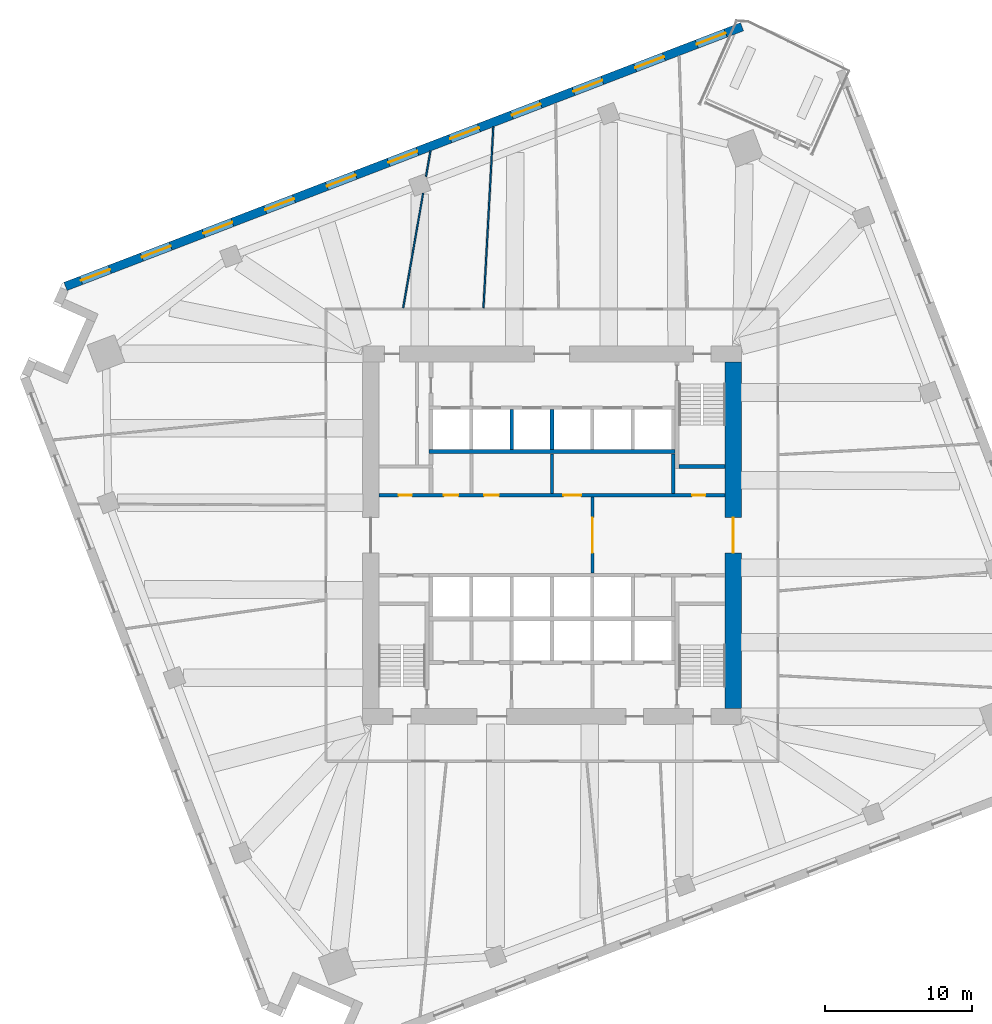
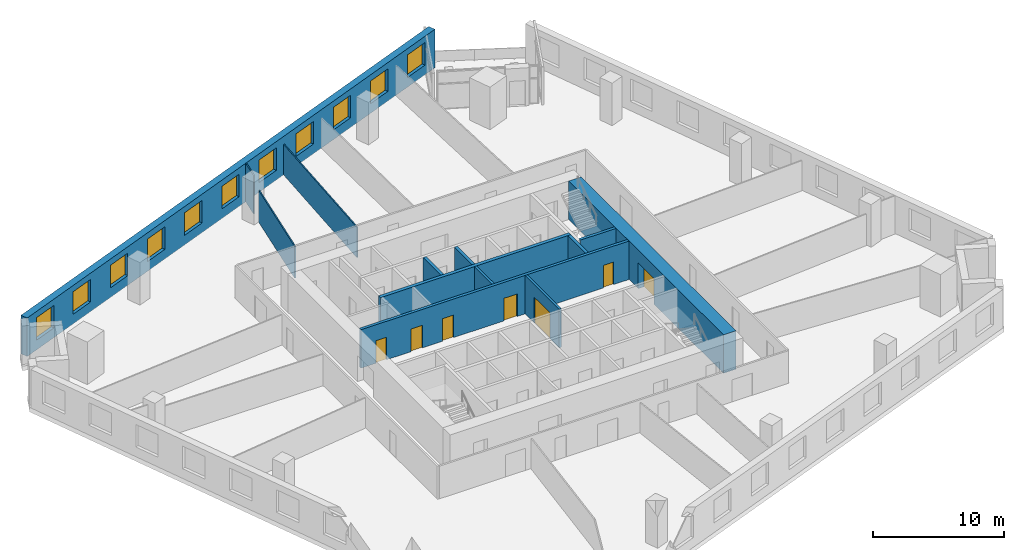
# One storey, part 10 of 14: 13 walls, 11 windows, 7 doors, 18 openings.
"""IFC4 building model written with IfcOpenShell, lengths in metres."""

from ifc_helpers import new_model, si_unit, direction, frame, frame_2d, origin, place, context, subcontext, project, spatial, rectangle, extrude, material, layer, layer_set, type_object, element, fill, save


model = new_model("IFC4")

# Units and contexts
model_context = context("Model", 3, precision=1e-05, world=origin(), true_north=direction((0.0, 1.0)))
body_context = subcontext(model_context, "Body", "Model", "MODEL_VIEW")
ifc_project = project(units=[si_unit("LENGTHUNIT", "METRE"), si_unit("AREAUNIT", "SQUARE_METRE"), si_unit("VOLUMEUNIT", "CUBIC_METRE"), si_unit("PLANEANGLEUNIT", "RADIAN"), si_unit("MASSUNIT", "GRAM", prefix="KILO")], contexts=[model_context])

# Site, building, storey
site_placement = place(None, origin())
site = spatial("IfcSite", under=ifc_project, at=site_placement, CompositionType="ELEMENT")
building_placement = place(site_placement, origin())
building = spatial("IfcBuilding", under=site, at=building_placement, Name="Dilmun Exchange Tower", CompositionType="ELEMENT")
storey_placement = place(building_placement, frame((0.0, 0.0, 106.10009765625)))
storey = spatial("IfcBuildingStorey", under=building, at=storey_placement, Name="L24", CompositionType="ELEMENT", Elevation=106.10009765625)

# Wall, opening, door
ifc_material_1 = material(Name="Concrete C40/50", Category="concrete")
ifc_layer_1 = layer(ifc_material_1, 0.199951171875)
ifc_layer_set_1 = layer_set([ifc_layer_1], Name="Concrete C40/50")
wall_type_1 = type_object("IfcWallType", Name="Core partition wall 200", PredefinedType="PARTITIONING", material=ifc_layer_set_1)
wall_1_placement = place(storey_placement, frame((2.75, -2.594970703125, 0.0), z_axis=(0.0, 0.0, 1.0), x_axis=(0.0, 1.0, 0.0)))
wall_1 = element("IfcWall", 1, at=wall_1_placement, inside=storey, type_object=wall_type_1, Name="L24 core partition wall 09", PredefinedType="PARTITIONING", context=body_context, shape_type="SweptSolid", body=[
    extrude(rectangle(XDim=5.18994140625, YDim=0.199951171875, at=frame_2d((2.594970703125, 0.0))), origin(), (0.0, 0.0, 1.0), 3.579833984375),
])
opening_1_placement = place(wall_1_placement, frame((1.39501953125, 0.0, 0.0)))
opening_1 = element("IfcOpeningElement", 2, at=opening_1_placement, cuts=wall_1, Name="Opening CD1", PredefinedType="OPENING", context=body_context, shape_type="SweptSolid", body=[
    extrude(rectangle(XDim=2.39990234375, YDim=2.39990234375, at=frame_2d((1.199951171875, 1.199951171875))), frame((0.0, 0.10986328125, 0.0), z_axis=(0.0, -1.0, 0.0), x_axis=(1.0, 0.0, 0.0)), (0.0, 0.0, 1.0), 0.219970703125),
])
ifc_material_2 = material(Name="Fire-rated steel door set", Category="steel")
door_type_1 = type_object("IfcDoorType", Name="Core lobby door 2400x2400", OperationType="DOUBLE_DOOR_DOUBLE_SWING", PredefinedType="DOOR", material=ifc_material_2)
door_1_placement = place(opening_1_placement, origin())
door_1 = element("IfcDoor", 3, at=door_1_placement, inside=storey, type_object=door_type_1, Name="L24 door Lift lobby east", OperationType="SINGLE_SWING_LEFT", OverallHeight=2.39990234375, OverallWidth=2.39990234375, PredefinedType="DOOR", context=body_context, shape_type="SweptSolid", body=[
    extrude(rectangle(XDim=2.39990234375, YDim=2.39990234375, at=frame_2d((1.199951171875, 1.199951171875))), frame((0.0, 0.02490234375, 0.0), z_axis=(0.0, -1.0, 0.0), x_axis=(1.0, 0.0, 0.0)), (0.0, 0.0, 1.0), 0.050048828125),
])
fill(opening_1, door_1)

# Wall
wall_2_placement = place(storey_placement, frame((0.0, 2.85498046875, 0.0), z_axis=(0.0, 0.0, 1.0), x_axis=(0.0, 1.0, 0.0)))
element("IfcWall", 4, at=wall_2_placement, inside=storey, type_object=wall_type_1, Name="L24 core partition wall 13", PredefinedType="PARTITIONING", context=body_context, shape_type="SweptSolid", body=[
    extrude(rectangle(XDim=2.68994140625, YDim=0.199951171875, at=frame_2d((1.344970703125, 0.0))), origin(), (0.0, 0.0, 1.0), 3.579833984375),
])

# Wall, openings, doors
ifc_layer_2 = layer(ifc_material_1, 0.25)
ifc_layer_set_2 = layer_set([ifc_layer_2], Name="Concrete C40/50")
wall_type_2 = type_object("IfcWallType", Name="Core partition wall 250", PredefinedType="PARTITIONING", material=ifc_layer_set_2)
wall_3_placement = place(storey_placement, frame((-11.794921875, 2.72509765625, 0.0), z_axis=(0.0, 0.0, 1.0), x_axis=(1.0, 0.0, 0.0)))
wall_3 = element("IfcWall", 5, at=wall_3_placement, inside=storey, type_object=wall_type_2, Name="L24 core partition wall 10", PredefinedType="PARTITIONING", context=body_context, shape_type="SweptSolid", body=[
    extrude(rectangle(XDim=23.58984375, YDim=0.25, at=frame_2d((11.794921875, 0.0))), origin(), (0.0, 0.0, 1.0), 3.579833984375),
])
opening_2_placement = place(wall_3_placement, frame((21.344970703125, 0.0, 0.0)))
opening_2 = element("IfcOpeningElement", 6, at=opening_2_placement, cuts=wall_3, Name="Opening CD6", PredefinedType="OPENING", context=body_context, shape_type="SweptSolid", body=[
    extrude(rectangle(XDim=0.89990234375, YDim=2.10009765625, at=frame_2d((0.449951171875, 1.050048828125))), frame((0.0, 0.135009765625, 0.0), z_axis=(0.0, -1.0, 0.0), x_axis=(1.0, 0.0, 0.0)), (0.0, 0.0, 1.0), 0.27001953125),
])
opening_3_placement = place(wall_3_placement, frame((1.344970703125, 0.0, 0.0)))
opening_3 = element("IfcOpeningElement", 7, at=opening_3_placement, cuts=wall_3, Name="Opening CD6", PredefinedType="OPENING", context=body_context, shape_type="SweptSolid", body=[
    extrude(rectangle(XDim=0.89990234375, YDim=2.10009765625, at=frame_2d((0.449951171875, 1.050048828125))), frame((0.0, 0.135009765625, 0.0), z_axis=(0.0, -1.0, 0.0), x_axis=(1.0, 0.0, 0.0)), (0.0, 0.0, 1.0), 0.27001953125),
])
opening_4_placement = place(wall_3_placement, frame((4.419921875, 0.0, 0.0)))
opening_4 = element("IfcOpeningElement", 8, at=opening_4_placement, cuts=wall_3, Name="Opening CD4", PredefinedType="OPENING", context=body_context, shape_type="SweptSolid", body=[
    extrude(rectangle(XDim=1.0, YDim=2.10009765625, at=frame_2d((0.5, 1.050048828125))), frame((0.0, 0.135009765625, 0.0), z_axis=(0.0, -1.0, 0.0), x_axis=(1.0, 0.0, 0.0)), (0.0, 0.0, 1.0), 0.27001953125),
])
opening_5_placement = place(wall_3_placement, frame((7.169921875, 0.0, 0.0)))
opening_5 = element("IfcOpeningElement", 9, at=opening_5_placement, cuts=wall_3, Name="Opening CD4", PredefinedType="OPENING", context=body_context, shape_type="SweptSolid", body=[
    extrude(rectangle(XDim=1.0, YDim=2.10009765625, at=frame_2d((0.5, 1.050048828125))), frame((0.0, 0.135009765625, 0.0), z_axis=(0.0, -1.0, 0.0), x_axis=(1.0, 0.0, 0.0)), (0.0, 0.0, 1.0), 0.27001953125),
])
opening_6_placement = place(wall_3_placement, frame((12.570068359375, 0.0, 0.0)))
opening_6 = element("IfcOpeningElement", 10, at=opening_6_placement, cuts=wall_3, Name="Opening CD3", PredefinedType="OPENING", context=body_context, shape_type="SweptSolid", body=[
    extrude(rectangle(XDim=1.199951171875, YDim=2.10009765625, at=frame_2d((0.60009765625, 1.050048828125))), frame((0.0, 0.135009765625, 0.0), z_axis=(0.0, -1.0, 0.0), x_axis=(1.0, 0.0, 0.0)), (0.0, 0.0, 1.0), 0.27001953125),
])
door_type_2 = type_object("IfcDoorType", Name="Core room door 1000x2100", OperationType="SINGLE_SWING_LEFT", PredefinedType="DOOR", material=ifc_material_2)
door_2_placement = place(opening_4_placement, origin())
door_2 = element("IfcDoor", 11, at=door_2_placement, inside=storey, type_object=door_type_2, Name="L24 door Server room", OperationType="SINGLE_SWING_LEFT", OverallHeight=2.10009765625, OverallWidth=1.0, PredefinedType="DOOR", context=body_context, shape_type="SweptSolid", body=[
    extrude(rectangle(XDim=1.0, YDim=2.10009765625, at=frame_2d((0.5, 1.050048828125))), frame((0.0, 0.02490234375, 0.0), z_axis=(0.0, -1.0, 0.0), x_axis=(1.0, 0.0, 0.0)), (0.0, 0.0, 1.0), 0.050048828125),
])
fill(opening_4, door_2)
door_3_placement = place(opening_5_placement, origin())
door_3 = element("IfcDoor", 12, at=door_3_placement, inside=storey, type_object=door_type_2, Name="L24 door Archive store", OperationType="SINGLE_SWING_LEFT", OverallHeight=2.10009765625, OverallWidth=1.0, PredefinedType="DOOR", context=body_context, shape_type="SweptSolid", body=[
    extrude(rectangle(XDim=1.0, YDim=2.10009765625, at=frame_2d((0.5, 1.050048828125))), frame((0.0, 0.02490234375, 0.0), z_axis=(0.0, -1.0, 0.0), x_axis=(1.0, 0.0, 0.0)), (0.0, 0.0, 1.0), 0.050048828125),
])
fill(opening_5, door_3)
door_type_3 = type_object("IfcDoorType", Name="Core room door 900x2100", OperationType="SINGLE_SWING_LEFT", PredefinedType="DOOR", material=ifc_material_2)
door_4_placement = place(opening_2_placement, origin())
door_4 = element("IfcDoor", 13, at=door_4_placement, inside=storey, type_object=door_type_3, Name="L24 door Electrical riser", OperationType="SINGLE_SWING_LEFT", OverallHeight=2.10009765625, OverallWidth=0.89990234375, PredefinedType="DOOR", context=body_context, shape_type="SweptSolid", body=[
    extrude(rectangle(XDim=0.89990234375, YDim=2.10009765625, at=frame_2d((0.449951171875, 1.050048828125))), frame((0.0, 0.02490234375, 0.0), z_axis=(0.0, -1.0, 0.0), x_axis=(1.0, 0.0, 0.0)), (0.0, 0.0, 1.0), 0.050048828125),
])
fill(opening_2, door_4)
door_5_placement = place(opening_3_placement, origin())
door_5 = element("IfcDoor", 14, at=door_5_placement, inside=storey, type_object=door_type_3, Name="L24 door Plumbing riser", OperationType="SINGLE_SWING_LEFT", OverallHeight=2.10009765625, OverallWidth=0.89990234375, PredefinedType="DOOR", context=body_context, shape_type="SweptSolid", body=[
    extrude(rectangle(XDim=0.89990234375, YDim=2.10009765625, at=frame_2d((0.449951171875, 1.050048828125))), frame((0.0, 0.02490234375, 0.0), z_axis=(0.0, -1.0, 0.0), x_axis=(1.0, 0.0, 0.0)), (0.0, 0.0, 1.0), 0.050048828125),
])
fill(opening_3, door_5)
door_type_4 = type_object("IfcDoorType", Name="Stair exit door 1200x2100", OperationType="SINGLE_SWING_LEFT", PredefinedType="DOOR", material=ifc_material_2)
door_6_placement = place(opening_6_placement, origin())
door_6 = element("IfcDoor", 15, at=door_6_placement, inside=storey, type_object=door_type_4, Name="L24 door Facilities workshop", OperationType="SINGLE_SWING_LEFT", OverallHeight=2.10009765625, OverallWidth=1.199951171875, PredefinedType="DOOR", context=body_context, shape_type="SweptSolid", body=[
    extrude(rectangle(XDim=1.199951171875, YDim=2.10009765625, at=frame_2d((0.60009765625, 1.050048828125))), frame((0.0, 0.02490234375, 0.0), z_axis=(0.0, -1.0, 0.0), x_axis=(1.0, 0.0, 0.0)), (0.0, 0.0, 1.0), 0.050048828125),
])
fill(opening_6, door_6)

# Wall
wall_4_placement = place(storey_placement, frame((8.25, 2.85498046875, 0.0), z_axis=(0.0, 0.0, 1.0), x_axis=(0.0, 1.0, 0.0)))
element("IfcWall", 16, at=wall_4_placement, inside=storey, type_object=wall_type_2, Name="L24 core partition wall 14", PredefinedType="PARTITIONING", context=body_context, shape_type="SweptSolid", body=[
    extrude(rectangle(XDim=2.68994140625, YDim=0.25, at=frame_2d((1.344970703125, 0.0))), origin(), (0.0, 0.0, 1.0), 3.579833984375),
])

# Wall, opening, door
ifc_material_3 = material(Name="Concrete C80/95", Category="concrete")
ifc_layer_3 = layer(ifc_material_3, 1.10009765625)
ifc_layer_set_3 = layer_set([ifc_layer_3], Name="Concrete C80/95")
wall_type_3 = type_object("IfcWallType", Name="Core shear wall 1100 Concrete C80/95", PredefinedType="SHEAR", material=ifc_layer_set_3)
wall_5_placement = place(storey_placement, frame((12.35009765625, -11.800048828125, 0.0), z_axis=(0.0, 0.0, 1.0), x_axis=(0.0, 1.0, 0.0)))
wall_5 = element("IfcWall", 17, at=wall_5_placement, inside=storey, type_object=wall_type_3, Name="L24 core shear wall E", PredefinedType="SHEAR", context=body_context, shape_type="SweptSolid", body=[
    extrude(rectangle(XDim=23.60009765625, YDim=1.10009765625, at=frame_2d((11.800048828125, 0.0))), origin(), (0.0, 0.0, 1.0), 3.579833984375),
])
opening_7_placement = place(wall_5_placement, frame((10.60009765625, 0.0, 0.0)))
opening_7 = element("IfcOpeningElement", 18, at=opening_7_placement, cuts=wall_5, Name="Opening CD1", PredefinedType="OPENING", context=body_context, shape_type="SweptSolid", body=[
    extrude(rectangle(XDim=2.39990234375, YDim=2.39990234375, at=frame_2d((1.199951171875, 1.199951171875))), frame((0.0, 0.56005859375, 0.0), z_axis=(0.0, -1.0, 0.0), x_axis=(1.0, 0.0, 0.0)), (0.0, 0.0, 1.0), 1.1201171875),
])
door_7_placement = place(opening_7_placement, origin())
door_7 = element("IfcDoor", 19, at=door_7_placement, inside=storey, type_object=door_type_1, Name="L24 door Central lift lobby", OperationType="SINGLE_SWING_LEFT", OverallHeight=2.39990234375, OverallWidth=2.39990234375, PredefinedType="DOOR", context=body_context, shape_type="SweptSolid", body=[
    extrude(rectangle(XDim=2.39990234375, YDim=2.39990234375, at=frame_2d((1.199951171875, 1.199951171875))), frame((0.0, 0.02490234375, 0.0), z_axis=(0.0, -1.0, 0.0), x_axis=(1.0, 0.0, 0.0)), (0.0, 0.0, 1.0), 0.050048828125),
])
fill(opening_7, door_7)

# Walls
ifc_layer_4 = layer(ifc_material_1, 0.300048828125)
ifc_layer_set_4 = layer_set([ifc_layer_4], Name="Concrete C40/50")
wall_type_4 = type_object("IfcWallType", Name="Lift shaft shared wall 300", PredefinedType="SOLIDWALL", material=ifc_layer_set_4)
wall_6_placement = place(storey_placement, frame((-8.375, 5.699951171875, 0.0), z_axis=(0.0, 0.0, 1.0), x_axis=(1.0, 0.0, 0.0)))
element("IfcWall", 20, at=wall_6_placement, inside=storey, type_object=wall_type_4, Name="L24 lift shaft rear wall N", PredefinedType="SOLIDWALL", context=body_context, shape_type="SweptSolid", body=[
    extrude(rectangle(XDim=16.75, YDim=0.300048828125, at=frame_2d((8.375, 0.0))), origin(), (0.0, 0.0, 1.0), 3.579833984375),
])
ifc_layer_5 = layer(ifc_material_1, 0.25)
ifc_layer_set_5 = layer_set([ifc_layer_5], Name="Concrete C40/50")
wall_type_5 = type_object("IfcWallType", Name="Lift shaft wall 250", PredefinedType="SOLIDWALL", material=ifc_layer_set_5)
for number, where, z_axis, x_axis, name in (
    (21, (-2.75, 5.85009765625, 0.0), (0.0, 0.0, 1.0), (0.0, 1.0, 0.0), "L24 lift shaft divider N22"),
    (22, (0.0, 5.85009765625, 0.0), (0.0, 0.0, 1.0), (0.0, 1.0, 0.0), "L24 lift shaft divider N23"),
):
    element("IfcWall", number, at=place(storey_placement, frame(where, z_axis=z_axis, x_axis=x_axis)), inside=storey, type_object=wall_type_5, Name=name, PredefinedType="SOLIDWALL", context=body_context, shape_type="SweptSolid", body=[
        extrude(rectangle(XDim=2.699951171875, YDim=0.25, at=frame_2d((1.35009765625, 0.0))), origin(), (0.0, 0.0, 1.0), 3.579833984375),
    ])
ifc_material_4 = material(Name="Partition 100")
ifc_layer_6 = layer(ifc_material_4, 0.10009765625)
ifc_layer_set_6 = layer_set([ifc_layer_6], Name="Partition 100")
wall_type_6 = type_object("IfcWallType", Name="Partition 100", PredefinedType="PARTITIONING", material=ifc_layer_set_6)
wall_7_placement = place(storey_placement, frame((-10.1435546875, 15.483642578125, 0.0), z_axis=(0.0, 0.0, 1.0), x_axis=(0.17128272341, 0.985221918484, 0.0)))
element("IfcWall", 23, at=wall_7_placement, inside=storey, type_object=wall_type_6, Name="Partition", PredefinedType="PARTITIONING", context=body_context, shape_type="SweptSolid", body=[
    extrude(rectangle(XDim=7.93212890625, YDim=0.10009765625, at=frame_2d((3.966064453125, 0.0))), origin(), (0.0, 0.0, 1.0), 2.9599609375),
])
wall_8_placement = place(storey_placement, frame((-8.58740234375, 24.43408203125, 0.0), z_axis=(0.0, 0.0, 1.0), x_axis=(0.171329456072, 0.985213792779, 0.0)))
element("IfcWall", 24, at=wall_8_placement, inside=storey, type_object=wall_type_6, Name="Partition", PredefinedType="PARTITIONING", context=body_context, shape_type="SweptSolid", body=[
    extrude(rectangle(XDim=1.75830078125, YDim=0.10009765625, at=frame_2d((0.879150390625, 0.0))), origin(), (0.0, 0.0, 1.0), 3.579833984375),
])
wall_9_placement = place(storey_placement, frame((-4.6728515625, 15.477783203125, 0.0), z_axis=(0.0, 0.0, 1.0), x_axis=(0.054336931842, 0.998522657649, 0.0)))
element("IfcWall", 25, at=wall_9_placement, inside=storey, type_object=wall_type_6, Name="Partition", PredefinedType="PARTITIONING", context=body_context, shape_type="SweptSolid", body=[
    extrude(rectangle(XDim=12.3515625, YDim=0.10009765625, at=frame_2d((6.17578125, 0.0))), origin(), (0.0, 0.0, 1.0), 2.829833984375),
])

# Wall, openings, windows
ifc_material_5 = material(Name="Precast concrete C50/60", Category="concrete")
ifc_layer_7 = layer(ifc_material_5, 0.60009765625)
ifc_layer_set_7 = layer_set([ifc_layer_7], Name="Precast concrete C50/60")
wall_type_7 = type_object("IfcWallType", Name="Precast stone-clad wall 600", PredefinedType="STANDARD", material=ifc_layer_set_7)
wall_10_placement = place(storey_placement, frame((12.94580078125, 34.64013671875, 0.0), z_axis=(0.0, 0.0, 1.0), x_axis=(-0.933581036022, -0.358366361675, 0.0)))
wall_10 = element("IfcWall", 26, at=wall_10_placement, inside=storey, type_object=wall_type_7, Name="Facade wall L24-03", PredefinedType="STANDARD", context=body_context, shape_type="SweptSolid", body=[
    extrude(rectangle(XDim=49.375732421875, YDim=0.60009765625, at=frame_2d((24.68798828125, 0.0))), origin(), (0.0, 0.0, 1.0), 3.579833984375),
])
opening_8_placement = place(wall_10_placement, frame((1.199951171875, 0.0, 0.89990234375)))
opening_8 = element("IfcOpeningElement", 27, at=opening_8_placement, cuts=wall_10, Name="Opening W210-210", PredefinedType="OPENING", context=body_context, shape_type="SweptSolid", body=[
    extrude(rectangle(XDim=2.10009765625, YDim=2.10009765625, at=frame_2d((1.050048828125, 1.050048828125))), frame((0.0, 0.31005859375, 0.0), z_axis=(0.0, -1.0, 0.0), x_axis=(1.0, 0.0, 0.0)), (0.0, 0.0, 1.0), 0.6201171875),
])
opening_9_placement = place(wall_10_placement, frame((5.699951171875, 0.0, 0.89990234375)))
opening_9 = element("IfcOpeningElement", 28, at=opening_9_placement, cuts=wall_10, Name="Opening W210-210", PredefinedType="OPENING", context=body_context, shape_type="SweptSolid", body=[
    extrude(rectangle(XDim=2.10009765625, YDim=2.10009765625, at=frame_2d((1.050048828125, 1.050048828125))), frame((0.0, 0.31005859375, 0.0), z_axis=(0.0, -1.0, 0.0), x_axis=(1.0, 0.0, 0.0)), (0.0, 0.0, 1.0), 0.6201171875),
])
opening_10_placement = place(wall_10_placement, frame((10.199951171875, 0.0, 0.89990234375)))
opening_10 = element("IfcOpeningElement", 29, at=opening_10_placement, cuts=wall_10, Name="Opening W210-210", PredefinedType="OPENING", context=body_context, shape_type="SweptSolid", body=[
    extrude(rectangle(XDim=2.10009765625, YDim=2.10009765625, at=frame_2d((1.050048828125, 1.050048828125))), frame((0.0, 0.31005859375, 0.0), z_axis=(0.0, -1.0, 0.0), x_axis=(1.0, 0.0, 0.0)), (0.0, 0.0, 1.0), 0.6201171875),
])
opening_11_placement = place(wall_10_placement, frame((14.699951171875, 0.0, 0.89990234375)))
opening_11 = element("IfcOpeningElement", 30, at=opening_11_placement, cuts=wall_10, Name="Opening W210-210", PredefinedType="OPENING", context=body_context, shape_type="SweptSolid", body=[
    extrude(rectangle(XDim=2.10009765625, YDim=2.10009765625, at=frame_2d((1.050048828125, 1.050048828125))), frame((0.0, 0.31005859375, 0.0), z_axis=(0.0, -1.0, 0.0), x_axis=(1.0, 0.0, 0.0)), (0.0, 0.0, 1.0), 0.6201171875),
])
opening_12_placement = place(wall_10_placement, frame((19.199951171875, 0.0, 0.89990234375)))
opening_12 = element("IfcOpeningElement", 31, at=opening_12_placement, cuts=wall_10, Name="Opening W210-210", PredefinedType="OPENING", context=body_context, shape_type="SweptSolid", body=[
    extrude(rectangle(XDim=2.10009765625, YDim=2.10009765625, at=frame_2d((1.050048828125, 1.050048828125))), frame((0.0, 0.31005859375, 0.0), z_axis=(0.0, -1.0, 0.0), x_axis=(1.0, 0.0, 0.0)), (0.0, 0.0, 1.0), 0.6201171875),
])
opening_13_placement = place(wall_10_placement, frame((23.699951171875, 0.0, 0.89990234375)))
opening_13 = element("IfcOpeningElement", 32, at=opening_13_placement, cuts=wall_10, Name="Opening W210-210", PredefinedType="OPENING", context=body_context, shape_type="SweptSolid", body=[
    extrude(rectangle(XDim=2.10009765625, YDim=2.10009765625, at=frame_2d((1.050048828125, 1.050048828125))), frame((0.0, 0.31005859375, 0.0), z_axis=(0.0, -1.0, 0.0), x_axis=(1.0, 0.0, 0.0)), (0.0, 0.0, 1.0), 0.6201171875),
])
opening_14_placement = place(wall_10_placement, frame((28.199951171875, 0.0, 0.89990234375)))
opening_14 = element("IfcOpeningElement", 33, at=opening_14_placement, cuts=wall_10, Name="Opening W210-210", PredefinedType="OPENING", context=body_context, shape_type="SweptSolid", body=[
    extrude(rectangle(XDim=2.10009765625, YDim=2.10009765625, at=frame_2d((1.050048828125, 1.050048828125))), frame((0.0, 0.31005859375, 0.0), z_axis=(0.0, -1.0, 0.0), x_axis=(1.0, 0.0, 0.0)), (0.0, 0.0, 1.0), 0.6201171875),
])
opening_15_placement = place(wall_10_placement, frame((32.699951171875, 0.0, 0.89990234375)))
opening_15 = element("IfcOpeningElement", 34, at=opening_15_placement, cuts=wall_10, Name="Opening W210-210", PredefinedType="OPENING", context=body_context, shape_type="SweptSolid", body=[
    extrude(rectangle(XDim=2.10009765625, YDim=2.10009765625, at=frame_2d((1.050048828125, 1.050048828125))), frame((0.0, 0.31005859375, 0.0), z_axis=(0.0, -1.0, 0.0), x_axis=(1.0, 0.0, 0.0)), (0.0, 0.0, 1.0), 0.6201171875),
])
opening_16_placement = place(wall_10_placement, frame((37.199951171875, 0.0, 0.89990234375)))
opening_16 = element("IfcOpeningElement", 35, at=opening_16_placement, cuts=wall_10, Name="Opening W210-210", PredefinedType="OPENING", context=body_context, shape_type="SweptSolid", body=[
    extrude(rectangle(XDim=2.10009765625, YDim=2.10009765625, at=frame_2d((1.050048828125, 1.050048828125))), frame((0.0, 0.31005859375, 0.0), z_axis=(0.0, -1.0, 0.0), x_axis=(1.0, 0.0, 0.0)), (0.0, 0.0, 1.0), 0.6201171875),
])
opening_17_placement = place(wall_10_placement, frame((41.699951171875, 0.0, 0.89990234375)))
opening_17 = element("IfcOpeningElement", 36, at=opening_17_placement, cuts=wall_10, Name="Opening W210-210", PredefinedType="OPENING", context=body_context, shape_type="SweptSolid", body=[
    extrude(rectangle(XDim=2.10009765625, YDim=2.10009765625, at=frame_2d((1.050048828125, 1.050048828125))), frame((0.0, 0.31005859375, 0.0), z_axis=(0.0, -1.0, 0.0), x_axis=(1.0, 0.0, 0.0)), (0.0, 0.0, 1.0), 0.6201171875),
])
opening_18_placement = place(wall_10_placement, frame((46.137939453125, 0.0, 0.89990234375)))
opening_18 = element("IfcOpeningElement", 37, at=opening_18_placement, cuts=wall_10, Name="Opening W210-210", PredefinedType="OPENING", context=body_context, shape_type="SweptSolid", body=[
    extrude(rectangle(XDim=2.10009765625, YDim=2.10009765625, at=frame_2d((1.050048828125, 1.050048828125))), frame((0.0, 0.31005859375, 0.0), z_axis=(0.0, -1.0, 0.0), x_axis=(1.0, 0.0, 0.0)), (0.0, 0.0, 1.0), 0.6201171875),
])
ifc_material_6 = material(Name="Clear low-emissivity glass in aluminium frame", Category="aluminium")
window_type = type_object("IfcWindowType", Name="Punched window 2100 x 2100", PartitioningType="DOUBLE_PANEL_VERTICAL", PredefinedType="WINDOW", material=ifc_material_6)
window_1_placement = place(opening_8_placement, origin())
window_1 = element("IfcWindow", 38, at=window_1_placement, inside=storey, type_object=window_type, Name="Window 4.1", OverallHeight=2.10009765625, OverallWidth=2.10009765625, PartitioningType="SINGLE_PANEL", PredefinedType="WINDOW", context=body_context, shape_type="SweptSolid", body=[
    extrude(rectangle(XDim=2.10009765625, YDim=2.10009765625, at=frame_2d((1.050048828125, 1.050048828125))), frame((0.0, 0.030029296875, 0.0), z_axis=(0.0, -1.0, 0.0), x_axis=(1.0, 0.0, 0.0)), (0.0, 0.0, 1.0), 0.06005859375),
])
fill(opening_8, window_1)
window_2_placement = place(opening_9_placement, origin())
window_2 = element("IfcWindow", 39, at=window_2_placement, inside=storey, type_object=window_type, Name="Window 4.2", OverallHeight=2.10009765625, OverallWidth=2.10009765625, PartitioningType="SINGLE_PANEL", PredefinedType="WINDOW", context=body_context, shape_type="SweptSolid", body=[
    extrude(rectangle(XDim=2.10009765625, YDim=2.10009765625, at=frame_2d((1.050048828125, 1.050048828125))), frame((0.0, 0.030029296875, 0.0), z_axis=(0.0, -1.0, 0.0), x_axis=(1.0, 0.0, 0.0)), (0.0, 0.0, 1.0), 0.06005859375),
])
fill(opening_9, window_2)
window_3_placement = place(opening_10_placement, origin())
window_3 = element("IfcWindow", 40, at=window_3_placement, inside=storey, type_object=window_type, Name="Window 4.3", OverallHeight=2.10009765625, OverallWidth=2.10009765625, PartitioningType="SINGLE_PANEL", PredefinedType="WINDOW", context=body_context, shape_type="SweptSolid", body=[
    extrude(rectangle(XDim=2.10009765625, YDim=2.10009765625, at=frame_2d((1.050048828125, 1.050048828125))), frame((0.0, 0.030029296875, 0.0), z_axis=(0.0, -1.0, 0.0), x_axis=(1.0, 0.0, 0.0)), (0.0, 0.0, 1.0), 0.06005859375),
])
fill(opening_10, window_3)
window_4_placement = place(opening_11_placement, origin())
window_4 = element("IfcWindow", 41, at=window_4_placement, inside=storey, type_object=window_type, Name="Window 4.4", OverallHeight=2.10009765625, OverallWidth=2.10009765625, PartitioningType="SINGLE_PANEL", PredefinedType="WINDOW", context=body_context, shape_type="SweptSolid", body=[
    extrude(rectangle(XDim=2.10009765625, YDim=2.10009765625, at=frame_2d((1.050048828125, 1.050048828125))), frame((0.0, 0.030029296875, 0.0), z_axis=(0.0, -1.0, 0.0), x_axis=(1.0, 0.0, 0.0)), (0.0, 0.0, 1.0), 0.06005859375),
])
fill(opening_11, window_4)
window_5_placement = place(opening_12_placement, origin())
window_5 = element("IfcWindow", 42, at=window_5_placement, inside=storey, type_object=window_type, Name="Window 4.5", OverallHeight=2.10009765625, OverallWidth=2.10009765625, PartitioningType="SINGLE_PANEL", PredefinedType="WINDOW", context=body_context, shape_type="SweptSolid", body=[
    extrude(rectangle(XDim=2.10009765625, YDim=2.10009765625, at=frame_2d((1.050048828125, 1.050048828125))), frame((0.0, 0.030029296875, 0.0), z_axis=(0.0, -1.0, 0.0), x_axis=(1.0, 0.0, 0.0)), (0.0, 0.0, 1.0), 0.06005859375),
])
fill(opening_12, window_5)
window_6_placement = place(opening_13_placement, origin())
window_6 = element("IfcWindow", 43, at=window_6_placement, inside=storey, type_object=window_type, Name="Window 4.6", OverallHeight=2.10009765625, OverallWidth=2.10009765625, PartitioningType="SINGLE_PANEL", PredefinedType="WINDOW", context=body_context, shape_type="SweptSolid", body=[
    extrude(rectangle(XDim=2.10009765625, YDim=2.10009765625, at=frame_2d((1.050048828125, 1.050048828125))), frame((0.0, 0.030029296875, 0.0), z_axis=(0.0, -1.0, 0.0), x_axis=(1.0, 0.0, 0.0)), (0.0, 0.0, 1.0), 0.06005859375),
])
fill(opening_13, window_6)
window_7_placement = place(opening_14_placement, origin())
window_7 = element("IfcWindow", 44, at=window_7_placement, inside=storey, type_object=window_type, Name="Window 4.7", OverallHeight=2.10009765625, OverallWidth=2.10009765625, PartitioningType="SINGLE_PANEL", PredefinedType="WINDOW", context=body_context, shape_type="SweptSolid", body=[
    extrude(rectangle(XDim=2.10009765625, YDim=2.10009765625, at=frame_2d((1.050048828125, 1.050048828125))), frame((0.0, 0.030029296875, 0.0), z_axis=(0.0, -1.0, 0.0), x_axis=(1.0, 0.0, 0.0)), (0.0, 0.0, 1.0), 0.06005859375),
])
fill(opening_14, window_7)
window_8_placement = place(opening_15_placement, origin())
window_8 = element("IfcWindow", 45, at=window_8_placement, inside=storey, type_object=window_type, Name="Window 4.8", OverallHeight=2.10009765625, OverallWidth=2.10009765625, PartitioningType="SINGLE_PANEL", PredefinedType="WINDOW", context=body_context, shape_type="SweptSolid", body=[
    extrude(rectangle(XDim=2.10009765625, YDim=2.10009765625, at=frame_2d((1.050048828125, 1.050048828125))), frame((0.0, 0.030029296875, 0.0), z_axis=(0.0, -1.0, 0.0), x_axis=(1.0, 0.0, 0.0)), (0.0, 0.0, 1.0), 0.06005859375),
])
fill(opening_15, window_8)
window_9_placement = place(opening_16_placement, origin())
window_9 = element("IfcWindow", 46, at=window_9_placement, inside=storey, type_object=window_type, Name="Window 4.9", OverallHeight=2.10009765625, OverallWidth=2.10009765625, PartitioningType="SINGLE_PANEL", PredefinedType="WINDOW", context=body_context, shape_type="SweptSolid", body=[
    extrude(rectangle(XDim=2.10009765625, YDim=2.10009765625, at=frame_2d((1.050048828125, 1.050048828125))), frame((0.0, 0.030029296875, 0.0), z_axis=(0.0, -1.0, 0.0), x_axis=(1.0, 0.0, 0.0)), (0.0, 0.0, 1.0), 0.06005859375),
])
fill(opening_16, window_9)
window_10_placement = place(opening_17_placement, origin())
window_10 = element("IfcWindow", 47, at=window_10_placement, inside=storey, type_object=window_type, Name="Window 4.10", OverallHeight=2.10009765625, OverallWidth=2.10009765625, PartitioningType="SINGLE_PANEL", PredefinedType="WINDOW", context=body_context, shape_type="SweptSolid", body=[
    extrude(rectangle(XDim=2.10009765625, YDim=2.10009765625, at=frame_2d((1.050048828125, 1.050048828125))), frame((0.0, 0.030029296875, 0.0), z_axis=(0.0, -1.0, 0.0), x_axis=(1.0, 0.0, 0.0)), (0.0, 0.0, 1.0), 0.06005859375),
])
fill(opening_17, window_10)
window_11_placement = place(opening_18_placement, origin())
window_11 = element("IfcWindow", 48, at=window_11_placement, inside=storey, type_object=window_type, Name="Window 4.11", OverallHeight=2.10009765625, OverallWidth=2.10009765625, PartitioningType="SINGLE_PANEL", PredefinedType="WINDOW", context=body_context, shape_type="SweptSolid", body=[
    extrude(rectangle(XDim=2.10009765625, YDim=2.10009765625, at=frame_2d((1.050048828125, 1.050048828125))), frame((0.0, 0.030029296875, 0.0), z_axis=(0.0, -1.0, 0.0), x_axis=(1.0, 0.0, 0.0)), (0.0, 0.0, 1.0), 0.06005859375),
])
fill(opening_18, window_11)

# Wall
ifc_layer_8 = layer(ifc_material_1, 0.25)
ifc_layer_set_8 = layer_set([ifc_layer_8], Name="Concrete C40/50")
wall_type_8 = type_object("IfcWallType", Name="Stair end wall 250", PredefinedType="SOLIDWALL", material=ifc_layer_set_8)
wall_11_placement = place(storey_placement, frame((8.64990234375, 4.675048828125, 0.0), z_axis=(0.0, 0.0, 1.0), x_axis=(1.0, 0.0, 0.0)))
element("IfcWall", 49, at=wall_11_placement, inside=storey, type_object=wall_type_8, Name="L24 ST1 far wall", PredefinedType="SOLIDWALL", context=body_context, shape_type="SweptSolid", body=[
    extrude(rectangle(XDim=3.150146484375, YDim=0.25, at=frame_2d((1.5751953125, 0.0))), origin(), (0.0, 0.0, 1.0), 3.579833984375),
])

save(model, "model.ifc")
